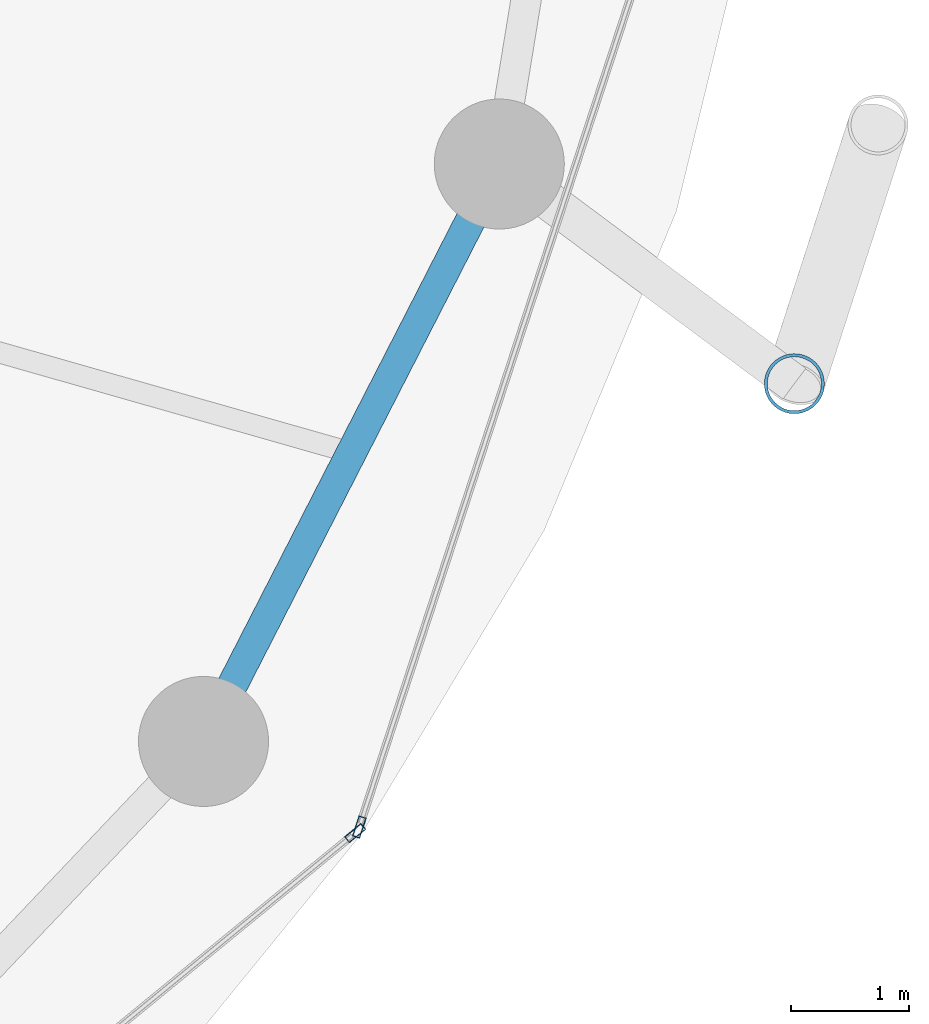
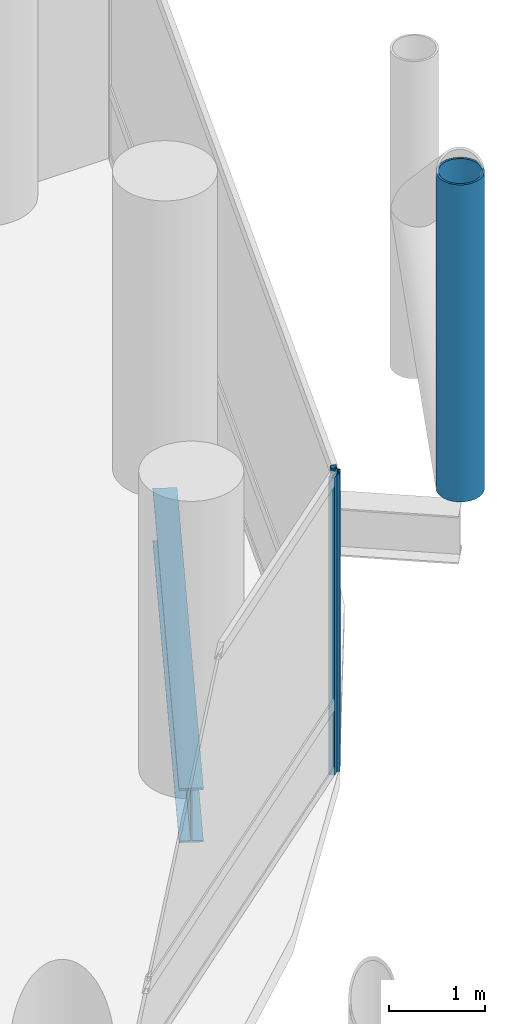
# One storey, part 10 of 25: 3 members, 1 beam, 2 elements without a shape of their own.
"""IFC4 building model written with IfcOpenShell, lengths in metres."""

from ifc_helpers import new_model, si_unit, direction, frame, origin, origin_2d, place, context, subcontext, project, spatial, hollow_rectangle, hollow_circle, i_section, extrude, material, layer, layer_set, material_profile, profile_set, type_object, element, aggregate, save


model = new_model("IFC4")

# Units and contexts
model_context = context("Model", 3, precision=1e-05, world=origin(), true_north=direction((0.0, 1.0)))
body_context = subcontext(model_context, "Body", "Model", "MODEL_VIEW")
ifc_project = project(units=[si_unit("LENGTHUNIT", "METRE"), si_unit("AREAUNIT", "SQUARE_METRE"), si_unit("VOLUMEUNIT", "CUBIC_METRE"), si_unit("PLANEANGLEUNIT", "RADIAN"), si_unit("MASSUNIT", "GRAM", prefix="KILO")], contexts=[model_context])

# Site, building, storey
site_placement = place(None, origin())
site = spatial("IfcSite", under=ifc_project, at=site_placement, CompositionType="ELEMENT")
building_placement = place(site_placement, origin())
building = spatial("IfcBuilding", under=site, at=building_placement, Name="Nuhasar Tower", CompositionType="ELEMENT")
storey_placement = place(building_placement, frame((0.0, 0.0, 61.5)))
storey = spatial("IfcBuildingStorey", under=building, at=storey_placement, Name="L14", CompositionType="ELEMENT", Elevation=61.5)

# Beam
ifc_material_1 = material(Name="Steel S355", Category="steel")
ifc_material_profile_1 = material_profile(ifc_material_1, i_section(OverallWidth=0.256103515625, OverallDepth=0.693115234375, WebThickness=0.014404296875, FlangeThickness=0.023681640625, at=origin_2d()), Name="W27X114")
ifc_profile_set_1 = profile_set([ifc_material_profile_1], Name="Steel S355")
beam_type = type_object("IfcBeamType", Name="BM-RING-W27X114", PredefinedType="SPANDREL", material=ifc_profile_set_1)
beam_placement = place(storey_placement, frame((60.694091796875, 16.675048828125, -0.595947265625), z_axis=(0.455930023905, 0.890015625314, 0.0), x_axis=(-0.890015625314, 0.455930023905, 0.0)))
element("IfcBeam", 1, at=beam_placement, inside=storey, type_object=beam_type, Name="L14 Perimeter Ring Spandrel 23", PredefinedType="SPANDREL", context=body_context, shape_type="SweptSolid", body=[
    extrude(i_section(OverallWidth=0.256103515625, OverallDepth=0.693115234375, WebThickness=0.014404296875, FlangeThickness=0.023681640625, at=origin_2d()), origin(), (0.0, 0.0, 1.0), 5.487548828125),
])

# Curtain wall, member
ifc_material_2 = material(Name="Aluminium 6063-T6", Category="aluminium")
ifc_layer = layer(ifc_material_2, 0.199951171875)
ifc_layer_set = layer_set([ifc_layer], Name="Aluminium 6063-T6")
curtain_wall_type = type_object("IfcCurtainWallType", Name="CW-Z1-OFF", PredefinedType="NOTDEFINED", material=ifc_layer_set)
curtain_wall_1_placement = place(storey_placement, origin())
curtain_wall_1 = element("IfcCurtainWall", 2, at=curtain_wall_1_placement, inside=storey, type_object=curtain_wall_type, Name="L14 Unitised Curtain Wall 11", PredefinedType="NOTDEFINED")
ifc_material_profile_2 = material_profile(ifc_material_2, hollow_rectangle(XDim=0.06494140625, YDim=0.179931640625, WallThickness=0.0048828125, at=origin_2d()), Name="CWM-2")
ifc_profile_set_2 = profile_set([ifc_material_profile_2], Name="Aluminium 6063-T6")
member_type_1 = type_object("IfcMemberType", Name="CW-MUL-S2", PredefinedType="MULLION", material=ifc_profile_set_2)
member_1_placement = place(storey_placement, frame((61.976806640625, 15.8994140625, 0.0), z_axis=(0.0, 0.0, 1.0), x_axis=(-0.633744593376, 0.773542364946, 0.0)))
member_1 = element("IfcMember", 3, at=member_1_placement, type_object=member_type_1, Name="CW-Z1 mullion 2", PredefinedType="MULLION", context=body_context, shape_type="SweptSolid", body=[
    extrude(hollow_rectangle(XDim=0.06494140625, YDim=0.179931640625, WallThickness=0.0048828125, at=origin_2d()), origin(), (0.0, 0.0, 1.0), 3.800048828125),
])
aggregate(curtain_wall_1, [member_1])

curtain_wall_2_placement = place(storey_placement, origin())
curtain_wall_2 = element("IfcCurtainWall", 4, at=curtain_wall_2_placement, inside=storey, type_object=curtain_wall_type, Name="L14 Unitised Curtain Wall 12", PredefinedType="NOTDEFINED")
member_2_placement = place(storey_placement, frame((62.01220703125, 15.950927734375, 0.0), z_axis=(0.0, 0.0, 1.0), x_axis=(-0.950467534571, 0.310823849997, 0.0)))
member_2 = element("IfcMember", 5, at=member_2_placement, type_object=member_type_1, Name="CW-Z1 mullion 1", PredefinedType="MULLION", context=body_context, shape_type="SweptSolid", body=[
    extrude(hollow_rectangle(XDim=0.06494140625, YDim=0.179931640625, WallThickness=0.0048828125, at=origin_2d()), origin(), (0.0, 0.0, 1.0), 3.800048828125),
])
aggregate(curtain_wall_2, [member_2])

# Member
ifc_material_3 = material(Name="Steel S460", Category="steel")
ifc_material_profile_3 = material_profile(ifc_material_3, hollow_circle(Radius=0.25390625, WallThickness=0.025390625, at=origin_2d()), Name="HSS508X25.4")
ifc_profile_set_3 = profile_set([ifc_material_profile_3], Name="Steel S460")
member_type_2 = type_object("IfcMemberType", Name="EXO-BRONZE-508", PredefinedType="BRACE", material=ifc_profile_set_3)
member_3_placement = place(storey_placement, frame((65.69189453125, 19.700927734375, 0.0), z_axis=(0.0, 0.0, 1.0), x_axis=(1.0, 0.0, 0.0)))
element("IfcMember", 6, at=member_3_placement, inside=storey, type_object=member_type_2, Name="L14 Exoskeleton Chord Column EC-12A", PredefinedType="BRACE", context=body_context, shape_type="SweptSolid", body=[
    extrude(hollow_circle(Radius=0.25390625, WallThickness=0.025390625, at=origin_2d()), origin(), (0.0, 0.0, 1.0), 4.050048828125),
])

save(model, "model.ifc")
